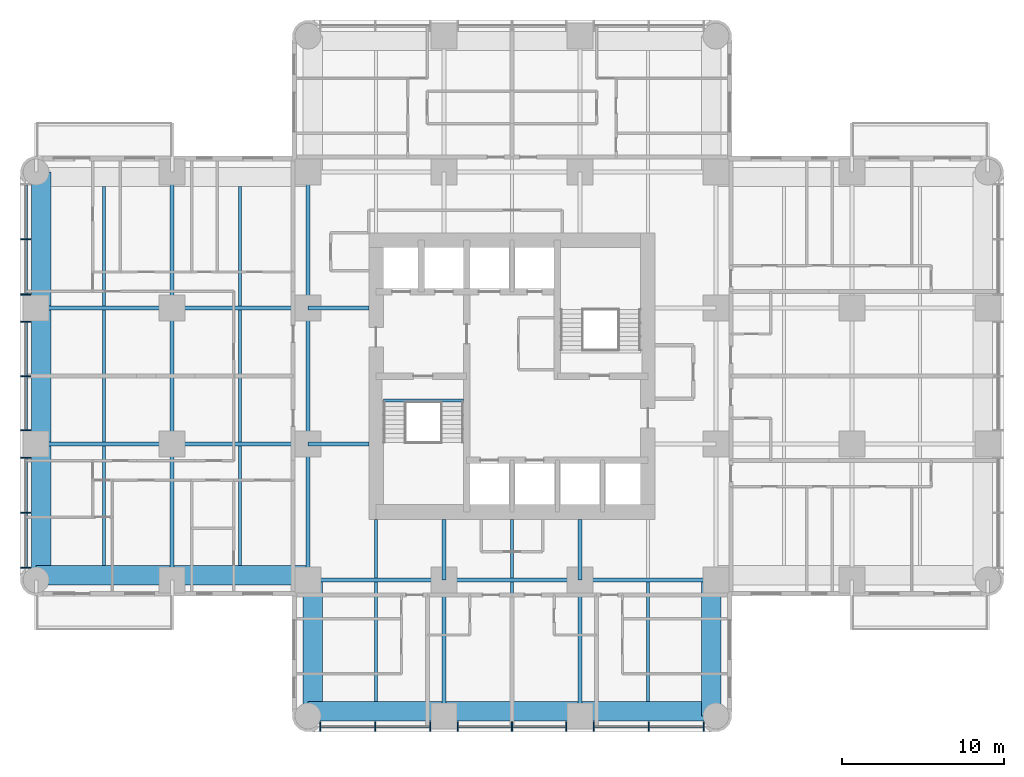
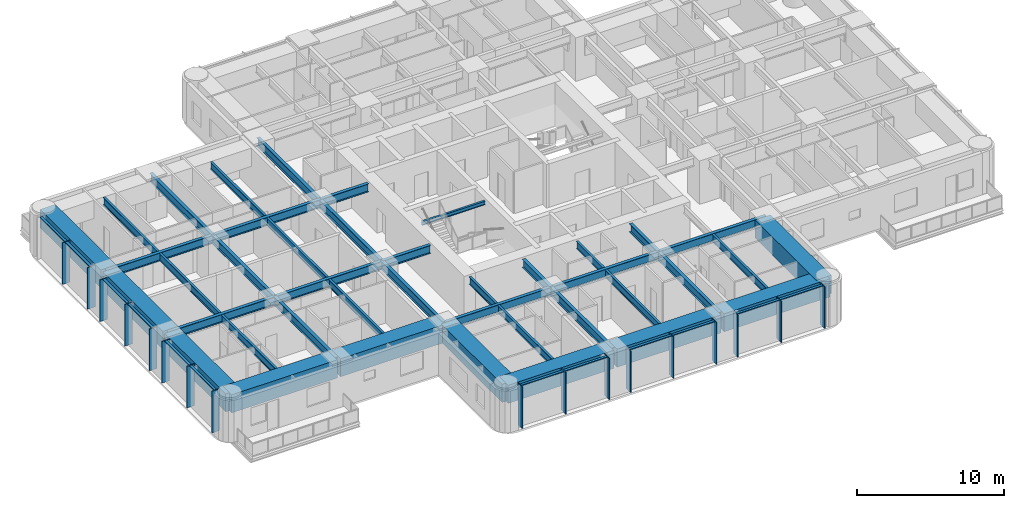
# One storey, part 2 of 14: 41 beams, 29 members, 2 elements without a shape of their own.
"""IFC4 building model written with IfcOpenShell, lengths in metres."""

from ifc_helpers import new_model, si_unit, direction, frame, origin, origin_2d, place, context, subcontext, project, spatial, rectangle, i_section, extrude, material, material_profile, profile_set, type_object, element, aggregate, save


model = new_model("IFC4")

# Units and contexts
model_context = context("Model", 3, precision=1e-05, world=origin(), true_north=direction((0.0, 1.0)))
body_context = subcontext(model_context, "Body", "Model", "MODEL_VIEW")
ifc_project = project(units=[si_unit("LENGTHUNIT", "METRE"), si_unit("AREAUNIT", "SQUARE_METRE"), si_unit("VOLUMEUNIT", "CUBIC_METRE"), si_unit("PLANEANGLEUNIT", "RADIAN"), si_unit("MASSUNIT", "GRAM", prefix="KILO")], contexts=[model_context])

# Site, building, storey
site_placement = place(None, origin())
site = spatial("IfcSite", under=ifc_project, at=site_placement, CompositionType="ELEMENT")
building_placement = place(site_placement, origin())
building = spatial("IfcBuilding", under=site, at=building_placement, Name="Torre Alcanfor", CompositionType="ELEMENT")
storey_placement = place(building_placement, frame((0.0, 0.0, 159.300048828125)))
storey = spatial("IfcBuildingStorey", under=building, at=storey_placement, Name="L41", CompositionType="ELEMENT", Elevation=159.300048828125)

# Curtain wall, members
ifc_material_1 = material(Name="Aluminium and glass", Category="aluminium")
curtain_wall_type = type_object("IfcCurtainWallType", Name="CW-A unitised apartment glazing with vertical FIN", PredefinedType="NOTDEFINED", material=ifc_material_1)
curtain_wall_1_placement = place(storey_placement, origin())
curtain_wall_1 = element("IfcCurtainWall", 1, at=curtain_wall_1_placement, inside=storey, type_object=curtain_wall_type, Name="Curtain wall CW-A L41 2", PredefinedType="NOTDEFINED")
ifc_material_2 = material(Name="Bronze anodised aluminium", Category="aluminium")
ifc_material_profile_1 = material_profile(ifc_material_2, rectangle(XDim=0.60009765625, YDim=0.06494140625, at=origin_2d()), Name="CW-A mullion 65x600")
ifc_profile_set_1 = profile_set([ifc_material_profile_1], Name="Bronze anodised aluminium")
member_type_1 = type_object("IfcMemberType", Name="CW-A mullion with vertical FIN 65x600", PredefinedType="MULLION", material=ifc_profile_set_1)
member_1_placement = place(storey_placement, frame((-0.64990234375, 37.840087890625, 0.0), z_axis=(0.0, 0.0, 1.0), x_axis=(1.0, 0.0, 0.0)))
member_1 = element("IfcMember", 2, at=member_1_placement, type_object=member_type_1, Name="CW-A mullion 1.2", PredefinedType="MULLION", context=body_context, shape_type="SweptSolid", body=[
    extrude(rectangle(XDim=0.60009765625, YDim=0.06494140625, at=origin_2d()), origin(), (0.0, 0.0, 1.0), 3.449951171875),
])
member_2_placement = place(storey_placement, frame((-0.64990234375, 34.4375, 0.0), z_axis=(0.0, 0.0, 1.0), x_axis=(1.0, 0.0, 0.0)))
member_2 = element("IfcMember", 3, at=member_2_placement, type_object=member_type_1, Name="CW-A mullion 1.3", PredefinedType="MULLION", context=body_context, shape_type="SweptSolid", body=[
    extrude(rectangle(XDim=0.60009765625, YDim=0.06494140625, at=origin_2d()), origin(), (0.0, 0.0, 1.0), 3.449951171875),
])
member_3_placement = place(storey_placement, frame((-0.64990234375, 32.762451171875, 0.0), z_axis=(0.0, 0.0, 1.0), x_axis=(1.0, 0.0, 0.0)))
member_3 = element("IfcMember", 4, at=member_3_placement, type_object=member_type_1, Name="CW-A mullion 2.1", PredefinedType="MULLION", context=body_context, shape_type="SweptSolid", body=[
    extrude(rectangle(XDim=0.60009765625, YDim=0.06494140625, at=origin_2d()), origin(), (0.0, 0.0, 1.0), 3.449951171875),
])
member_4_placement = place(storey_placement, frame((-0.64990234375, 29.39990234375, 0.0), z_axis=(0.0, 0.0, 1.0), x_axis=(1.0, 0.0, 0.0)))
member_4 = element("IfcMember", 5, at=member_4_placement, type_object=member_type_1, Name="CW-A mullion 2.2", PredefinedType="MULLION", context=body_context, shape_type="SweptSolid", body=[
    extrude(rectangle(XDim=0.60009765625, YDim=0.06494140625, at=origin_2d()), origin(), (0.0, 0.0, 1.0), 3.449951171875),
])
member_5_placement = place(storey_placement, frame((-0.64990234375, 26.03759765625, 0.0), z_axis=(0.0, 0.0, 1.0), x_axis=(1.0, 0.0, 0.0)))
member_5 = element("IfcMember", 6, at=member_5_placement, type_object=member_type_1, Name="CW-A mullion 2.3", PredefinedType="MULLION", context=body_context, shape_type="SweptSolid", body=[
    extrude(rectangle(XDim=0.60009765625, YDim=0.06494140625, at=origin_2d()), origin(), (0.0, 0.0, 1.0), 3.449951171875),
])
member_6_placement = place(storey_placement, frame((-0.64990234375, 24.362548828125, 0.0), z_axis=(0.0, 0.0, 1.0), x_axis=(1.0, 0.0, 0.0)))
member_6 = element("IfcMember", 7, at=member_6_placement, type_object=member_type_1, Name="CW-A mullion 3.1", PredefinedType="MULLION", context=body_context, shape_type="SweptSolid", body=[
    extrude(rectangle(XDim=0.60009765625, YDim=0.06494140625, at=origin_2d()), origin(), (0.0, 0.0, 1.0), 3.449951171875),
])
member_7_placement = place(storey_placement, frame((-0.64990234375, 20.9599609375, 0.0), z_axis=(0.0, 0.0, 1.0), x_axis=(1.0, 0.0, 0.0)))
member_7 = element("IfcMember", 8, at=member_7_placement, type_object=member_type_1, Name="CW-A mullion 3.2", PredefinedType="MULLION", context=body_context, shape_type="SweptSolid", body=[
    extrude(rectangle(XDim=0.60009765625, YDim=0.06494140625, at=origin_2d()), origin(), (0.0, 0.0, 1.0), 3.449951171875),
])
member_8_placement = place(storey_placement, frame((-0.64990234375, 17.557373046875, 0.0), z_axis=(0.0, 0.0, 1.0), x_axis=(1.0, 0.0, 0.0)))
member_8 = element("IfcMember", 9, at=member_8_placement, type_object=member_type_1, Name="CW-A mullion 3.3", PredefinedType="MULLION", context=body_context, shape_type="SweptSolid", body=[
    extrude(rectangle(XDim=0.60009765625, YDim=0.06494140625, at=origin_2d()), origin(), (0.0, 0.0, 1.0), 3.449951171875),
])

curtain_wall_2_placement = place(storey_placement, origin())
curtain_wall_2 = element("IfcCurtainWall", 10, at=curtain_wall_2_placement, inside=storey, type_object=curtain_wall_type, Name="Curtain wall CW-A L41 5", PredefinedType="NOTDEFINED")
member_9_placement = place(storey_placement, frame((17.557373046875, 7.75, 0.0), z_axis=(0.0, 0.0, 1.0), x_axis=(0.0, 1.0, 0.0)))
member_9 = element("IfcMember", 11, at=member_9_placement, type_object=member_type_1, Name="CW-A mullion 1.1", PredefinedType="MULLION", context=body_context, shape_type="SweptSolid", body=[
    extrude(rectangle(XDim=0.60009765625, YDim=0.06494140625, at=origin_2d()), origin(), (0.0, 0.0, 1.0), 3.449951171875),
])
member_10_placement = place(storey_placement, frame((20.9599609375, 7.75, 0.0), z_axis=(0.0, 0.0, 1.0), x_axis=(0.0, 1.0, 0.0)))
member_10 = element("IfcMember", 12, at=member_10_placement, type_object=member_type_1, Name="CW-A mullion 1.2", PredefinedType="MULLION", context=body_context, shape_type="SweptSolid", body=[
    extrude(rectangle(XDim=0.60009765625, YDim=0.06494140625, at=origin_2d()), origin(), (0.0, 0.0, 1.0), 3.449951171875),
])
member_11_placement = place(storey_placement, frame((24.362548828125, 7.75, 0.0), z_axis=(0.0, 0.0, 1.0), x_axis=(0.0, 1.0, 0.0)))
member_11 = element("IfcMember", 13, at=member_11_placement, type_object=member_type_1, Name="CW-A mullion 1.3", PredefinedType="MULLION", context=body_context, shape_type="SweptSolid", body=[
    extrude(rectangle(XDim=0.60009765625, YDim=0.06494140625, at=origin_2d()), origin(), (0.0, 0.0, 1.0), 3.449951171875),
])
member_12_placement = place(storey_placement, frame((26.03759765625, 7.75, 0.0), z_axis=(0.0, 0.0, 1.0), x_axis=(0.0, 1.0, 0.0)))
member_12 = element("IfcMember", 14, at=member_12_placement, type_object=member_type_1, Name="CW-A mullion 2.1", PredefinedType="MULLION", context=body_context, shape_type="SweptSolid", body=[
    extrude(rectangle(XDim=0.60009765625, YDim=0.06494140625, at=origin_2d()), origin(), (0.0, 0.0, 1.0), 3.449951171875),
])
member_13_placement = place(storey_placement, frame((29.39990234375, 7.75, 0.0), z_axis=(0.0, 0.0, 1.0), x_axis=(0.0, 1.0, 0.0)))
member_13 = element("IfcMember", 15, at=member_13_placement, type_object=member_type_1, Name="CW-A mullion 2.2", PredefinedType="MULLION", context=body_context, shape_type="SweptSolid", body=[
    extrude(rectangle(XDim=0.60009765625, YDim=0.06494140625, at=origin_2d()), origin(), (0.0, 0.0, 1.0), 3.449951171875),
])
member_14_placement = place(storey_placement, frame((32.762451171875, 7.75, 0.0), z_axis=(0.0, 0.0, 1.0), x_axis=(0.0, 1.0, 0.0)))
member_14 = element("IfcMember", 16, at=member_14_placement, type_object=member_type_1, Name="CW-A mullion 2.3", PredefinedType="MULLION", context=body_context, shape_type="SweptSolid", body=[
    extrude(rectangle(XDim=0.60009765625, YDim=0.06494140625, at=origin_2d()), origin(), (0.0, 0.0, 1.0), 3.449951171875),
])
member_15_placement = place(storey_placement, frame((34.4375, 7.75, 0.0), z_axis=(0.0, 0.0, 1.0), x_axis=(0.0, 1.0, 0.0)))
member_15 = element("IfcMember", 17, at=member_15_placement, type_object=member_type_1, Name="CW-A mullion 3.1", PredefinedType="MULLION", context=body_context, shape_type="SweptSolid", body=[
    extrude(rectangle(XDim=0.60009765625, YDim=0.06494140625, at=origin_2d()), origin(), (0.0, 0.0, 1.0), 3.449951171875),
])
member_16_placement = place(storey_placement, frame((37.840087890625, 7.75, 0.0), z_axis=(0.0, 0.0, 1.0), x_axis=(0.0, 1.0, 0.0)))
member_16 = element("IfcMember", 18, at=member_16_placement, type_object=member_type_1, Name="CW-A mullion 3.2", PredefinedType="MULLION", context=body_context, shape_type="SweptSolid", body=[
    extrude(rectangle(XDim=0.60009765625, YDim=0.06494140625, at=origin_2d()), origin(), (0.0, 0.0, 1.0), 3.449951171875),
])
member_17_placement = place(storey_placement, frame((41.24267578125, 7.75, 0.0), z_axis=(0.0, 0.0, 1.0), x_axis=(0.0, 1.0, 0.0)))
member_17 = element("IfcMember", 19, at=member_17_placement, type_object=member_type_1, Name="CW-A mullion 3.3", PredefinedType="MULLION", context=body_context, shape_type="SweptSolid", body=[
    extrude(rectangle(XDim=0.60009765625, YDim=0.06494140625, at=origin_2d()), origin(), (0.0, 0.0, 1.0), 3.449951171875),
])

# Member
ifc_material_3 = material(Name="Extruded aluminium", Category="aluminium")
ifc_material_profile_2 = material_profile(ifc_material_3, rectangle(XDim=0.199951171875, YDim=0.06494140625, at=origin_2d()), Name="CW-A transom 200x65")
ifc_profile_set_2 = profile_set([ifc_material_profile_2], Name="Extruded aluminium")
member_type_2 = type_object("IfcMemberType", Name="CW-A transom 65x200", PredefinedType="USERDEFINED", material=ifc_profile_set_2)
member_18_placement = place(storey_placement, frame((-0.64990234375, 41.210205078125, 3.41748046875), z_axis=(0.0, -1.0, 0.0), x_axis=(1.0, 0.0, 0.0)))
member_18 = element("IfcMember", 20, at=member_18_placement, type_object=member_type_2, Name="CW-A transom 1.1.2", ObjectType="TRANSOM", PredefinedType="USERDEFINED", context=body_context, shape_type="SweptSolid", body=[
    extrude(rectangle(XDim=0.199951171875, YDim=0.06494140625, at=origin_2d()), origin(), (0.0, 0.0, 1.0), 3.337646484375),
])

member_19_placement = place(storey_placement, frame((-0.64990234375, 37.8076171875, 3.41748046875), z_axis=(0.0, -1.0, 0.0), x_axis=(1.0, 0.0, 0.0)))
member_19 = element("IfcMember", 21, at=member_19_placement, type_object=member_type_2, Name="CW-A transom 1.2.2", ObjectType="TRANSOM", PredefinedType="USERDEFINED", context=body_context, shape_type="SweptSolid", body=[
    extrude(rectangle(XDim=0.199951171875, YDim=0.06494140625, at=origin_2d()), origin(), (0.0, 0.0, 1.0), 3.337646484375),
])

member_20_placement = place(storey_placement, frame((-0.64990234375, 32.72998046875, 3.41748046875), z_axis=(0.0, -1.0, 0.0), x_axis=(1.0, 0.0, 0.0)))
member_20 = element("IfcMember", 22, at=member_20_placement, type_object=member_type_2, Name="CW-A transom 2.1.2", ObjectType="TRANSOM", PredefinedType="USERDEFINED", context=body_context, shape_type="SweptSolid", body=[
    extrude(rectangle(XDim=0.199951171875, YDim=0.06494140625, at=origin_2d()), origin(), (0.0, 0.0, 1.0), 3.29736328125),
])

member_21_placement = place(storey_placement, frame((-0.64990234375, 29.367431640625, 3.41748046875), z_axis=(0.0, -1.0, 0.0), x_axis=(1.0, 0.0, 0.0)))
member_21 = element("IfcMember", 23, at=member_21_placement, type_object=member_type_2, Name="CW-A transom 2.2.2", ObjectType="TRANSOM", PredefinedType="USERDEFINED", context=body_context, shape_type="SweptSolid", body=[
    extrude(rectangle(XDim=0.199951171875, YDim=0.06494140625, at=origin_2d()), origin(), (0.0, 0.0, 1.0), 3.29736328125),
])

member_22_placement = place(storey_placement, frame((-0.64990234375, 24.330078125, 3.41748046875), z_axis=(0.0, -1.0, 0.0), x_axis=(1.0, 0.0, 0.0)))
member_22 = element("IfcMember", 24, at=member_22_placement, type_object=member_type_2, Name="CW-A transom 3.1.2", ObjectType="TRANSOM", PredefinedType="USERDEFINED", context=body_context, shape_type="SweptSolid", body=[
    extrude(rectangle(XDim=0.199951171875, YDim=0.06494140625, at=origin_2d()), origin(), (0.0, 0.0, 1.0), 3.337646484375),
])

member_23_placement = place(storey_placement, frame((-0.64990234375, 20.927490234375, 3.41748046875), z_axis=(0.0, -1.0, 0.0), x_axis=(1.0, 0.0, 0.0)))
member_23 = element("IfcMember", 25, at=member_23_placement, type_object=member_type_2, Name="CW-A transom 3.2.2", ObjectType="TRANSOM", PredefinedType="USERDEFINED", context=body_context, shape_type="SweptSolid", body=[
    extrude(rectangle(XDim=0.199951171875, YDim=0.06494140625, at=origin_2d()), origin(), (0.0, 0.0, 1.0), 3.337646484375),
])

aggregate(curtain_wall_1, [member_1, member_2, member_18, member_19, member_3, member_4, member_5, member_20, member_21, member_6, member_7, member_8, member_22, member_23])

member_24_placement = place(storey_placement, frame((17.58984375, 7.75, 3.41748046875), z_axis=(1.0, 0.0, 0.0), x_axis=(0.0, 1.0, 0.0)))
member_24 = element("IfcMember", 26, at=member_24_placement, type_object=member_type_2, Name="CW-A transom 1.1.2", ObjectType="TRANSOM", PredefinedType="USERDEFINED", context=body_context, shape_type="SweptSolid", body=[
    extrude(rectangle(XDim=0.199951171875, YDim=0.06494140625, at=origin_2d()), origin(), (0.0, 0.0, 1.0), 3.337646484375),
])

member_25_placement = place(storey_placement, frame((20.992431640625, 7.75, 3.41748046875), z_axis=(1.0, 0.0, 0.0), x_axis=(0.0, 1.0, 0.0)))
member_25 = element("IfcMember", 27, at=member_25_placement, type_object=member_type_2, Name="CW-A transom 1.2.2", ObjectType="TRANSOM", PredefinedType="USERDEFINED", context=body_context, shape_type="SweptSolid", body=[
    extrude(rectangle(XDim=0.199951171875, YDim=0.06494140625, at=origin_2d()), origin(), (0.0, 0.0, 1.0), 3.337646484375),
])

member_26_placement = place(storey_placement, frame((26.070068359375, 7.75, 3.41748046875), z_axis=(1.0, 0.0, 0.0), x_axis=(0.0, 1.0, 0.0)))
member_26 = element("IfcMember", 28, at=member_26_placement, type_object=member_type_2, Name="CW-A transom 2.1.2", ObjectType="TRANSOM", PredefinedType="USERDEFINED", context=body_context, shape_type="SweptSolid", body=[
    extrude(rectangle(XDim=0.199951171875, YDim=0.06494140625, at=origin_2d()), origin(), (0.0, 0.0, 1.0), 3.29736328125),
])

member_27_placement = place(storey_placement, frame((29.4326171875, 7.75, 3.41748046875), z_axis=(1.0, 0.0, 0.0), x_axis=(0.0, 1.0, 0.0)))
member_27 = element("IfcMember", 29, at=member_27_placement, type_object=member_type_2, Name="CW-A transom 2.2.2", ObjectType="TRANSOM", PredefinedType="USERDEFINED", context=body_context, shape_type="SweptSolid", body=[
    extrude(rectangle(XDim=0.199951171875, YDim=0.06494140625, at=origin_2d()), origin(), (0.0, 0.0, 1.0), 3.29736328125),
])

member_28_placement = place(storey_placement, frame((34.469970703125, 7.75, 3.41748046875), z_axis=(1.0, 0.0, 0.0), x_axis=(0.0, 1.0, 0.0)))
member_28 = element("IfcMember", 30, at=member_28_placement, type_object=member_type_2, Name="CW-A transom 3.1.2", ObjectType="TRANSOM", PredefinedType="USERDEFINED", context=body_context, shape_type="SweptSolid", body=[
    extrude(rectangle(XDim=0.199951171875, YDim=0.06494140625, at=origin_2d()), origin(), (0.0, 0.0, 1.0), 3.337646484375),
])

member_29_placement = place(storey_placement, frame((37.87255859375, 7.75, 3.41748046875), z_axis=(1.0, 0.0, 0.0), x_axis=(0.0, 1.0, 0.0)))
member_29 = element("IfcMember", 31, at=member_29_placement, type_object=member_type_2, Name="CW-A transom 3.2.2", ObjectType="TRANSOM", PredefinedType="USERDEFINED", context=body_context, shape_type="SweptSolid", body=[
    extrude(rectangle(XDim=0.199951171875, YDim=0.06494140625, at=origin_2d()), origin(), (0.0, 0.0, 1.0), 3.337646484375),
])

aggregate(curtain_wall_2, [member_9, member_10, member_11, member_24, member_25, member_12, member_13, member_14, member_26, member_27, member_15, member_16, member_17, member_28, member_29])

# Beams
ifc_material_4 = material(Name="Steel ASTM A992 Grade 50", Category="steel")
ifc_material_profile_3 = material_profile(ifc_material_4, i_section(OverallWidth=0.25390625, OverallDepth=0.683349609375, WebThickness=0.012451171875, FlangeThickness=0.01904296875, at=origin_2d()), Name="W27x94")
ifc_profile_set_3 = profile_set([ifc_material_profile_3], Name="Steel ASTM A992 Grade 50")
beam_type_1 = type_object("IfcBeamType", Name="Girder W27x94", PredefinedType="BEAM", material=ifc_profile_set_3)
beam_1_placement = place(storey_placement, frame((16.800048828125, 16.800048828125, 3.1083984375), z_axis=(1.0, 0.0, 0.0), x_axis=(0.0, 1.0, 0.0)))
element("IfcBeam", 32, at=beam_1_placement, inside=storey, type_object=beam_type_1, Name="Beam 3E-4E under L42", PredefinedType="BEAM", context=body_context, shape_type="SweptSolid", body=[
    extrude(i_section(OverallWidth=0.25390625, OverallDepth=0.683349609375, WebThickness=0.012451171875, FlangeThickness=0.01904296875, at=origin_2d()), origin(), (0.0, 0.0, 1.0), 8.39990234375),
])
beam_2_placement = place(storey_placement, frame((25.199951171875, 16.800048828125, 3.1083984375), z_axis=(1.0, 0.0, 0.0), x_axis=(0.0, 1.0, 0.0)))
element("IfcBeam", 33, at=beam_2_placement, inside=storey, type_object=beam_type_1, Name="Beam 4E-5E under L42", PredefinedType="BEAM", context=body_context, shape_type="SweptSolid", body=[
    extrude(i_section(OverallWidth=0.25390625, OverallDepth=0.683349609375, WebThickness=0.012451171875, FlangeThickness=0.01904296875, at=origin_2d()), origin(), (0.0, 0.0, 1.0), 8.400146484375),
])
for number, where, z_axis, x_axis, name in (
    (34, (33.60009765625, 16.800048828125, 3.1083984375), (1.0, 0.0, 0.0), (0.0, 1.0, 0.0), "Beam 5E-6E under L42"),
    (35, (0.0, 25.199951171875, 3.1083984375), (1.0, 0.0, 0.0), (0.0, 1.0, 0.0), "Beam 1F-2F under L42"),
):
    element("IfcBeam", number, at=place(storey_placement, frame(where, z_axis=z_axis, x_axis=x_axis)), inside=storey, type_object=beam_type_1, Name=name, PredefinedType="BEAM", context=body_context, shape_type="SweptSolid", body=[
        extrude(i_section(OverallWidth=0.25390625, OverallDepth=0.683349609375, WebThickness=0.012451171875, FlangeThickness=0.01904296875, at=origin_2d()), origin(), (0.0, 0.0, 1.0), 8.39990234375),
    ])
beam_3_placement = place(storey_placement, frame((8.39990234375, 25.199951171875, 3.1083984375), z_axis=(1.0, 0.0, 0.0), x_axis=(0.0, 1.0, 0.0)))
element("IfcBeam", 36, at=beam_3_placement, inside=storey, type_object=beam_type_1, Name="Beam 2F-3F under L42", PredefinedType="BEAM", context=body_context, shape_type="SweptSolid", body=[
    extrude(i_section(OverallWidth=0.25390625, OverallDepth=0.683349609375, WebThickness=0.012451171875, FlangeThickness=0.01904296875, at=origin_2d()), origin(), (0.0, 0.0, 1.0), 8.400146484375),
])
beam_4_placement = place(storey_placement, frame((0.0, 33.60009765625, 3.1083984375), z_axis=(1.0, 0.0, 0.0), x_axis=(0.0, 1.0, 0.0)))
element("IfcBeam", 37, at=beam_4_placement, inside=storey, type_object=beam_type_1, Name="Beam 1G-2G under L42", PredefinedType="BEAM", context=body_context, shape_type="SweptSolid", body=[
    extrude(i_section(OverallWidth=0.25390625, OverallDepth=0.683349609375, WebThickness=0.012451171875, FlangeThickness=0.01904296875, at=origin_2d()), origin(), (0.0, 0.0, 1.0), 8.39990234375),
])
beam_5_placement = place(storey_placement, frame((8.39990234375, 33.60009765625, 3.1083984375), z_axis=(1.0, 0.0, 0.0), x_axis=(0.0, 1.0, 0.0)))
element("IfcBeam", 38, at=beam_5_placement, inside=storey, type_object=beam_type_1, Name="Beam 2G-3G under L42", PredefinedType="BEAM", context=body_context, shape_type="SweptSolid", body=[
    extrude(i_section(OverallWidth=0.25390625, OverallDepth=0.683349609375, WebThickness=0.012451171875, FlangeThickness=0.01904296875, at=origin_2d()), origin(), (0.0, 0.0, 1.0), 8.400146484375),
])
beam_6_placement = place(storey_placement, frame((8.39990234375, 16.800048828125, 3.1083984375), z_axis=(0.0, 1.0, 0.0), x_axis=(-1.0, 0.0, 0.0)))
element("IfcBeam", 39, at=beam_6_placement, inside=storey, type_object=beam_type_1, Name="Beam 2E-2F under L42", PredefinedType="BEAM", context=body_context, shape_type="SweptSolid", body=[
    extrude(i_section(OverallWidth=0.25390625, OverallDepth=0.683349609375, WebThickness=0.012451171875, FlangeThickness=0.01904296875, at=origin_2d()), origin(), (0.0, 0.0, 1.0), 8.39990234375),
])
beam_7_placement = place(storey_placement, frame((8.39990234375, 25.199951171875, 3.1083984375), z_axis=(0.0, 1.0, 0.0), x_axis=(-1.0, 0.0, 0.0)))
element("IfcBeam", 40, at=beam_7_placement, inside=storey, type_object=beam_type_1, Name="Beam 2F-2G under L42", PredefinedType="BEAM", context=body_context, shape_type="SweptSolid", body=[
    extrude(i_section(OverallWidth=0.25390625, OverallDepth=0.683349609375, WebThickness=0.012451171875, FlangeThickness=0.01904296875, at=origin_2d()), origin(), (0.0, 0.0, 1.0), 8.400146484375),
])
for number, where, z_axis, x_axis, name in (
    (41, (8.39990234375, 33.60009765625, 3.1083984375), (0.0, 1.0, 0.0), (-1.0, 0.0, 0.0), "Beam 2G-2H under L42"),
    (42, (16.800048828125, 16.800048828125, 3.1083984375), (0.0, 1.0, 0.0), (-1.0, 0.0, 0.0), "Beam 3E-3F under L42"),
):
    element("IfcBeam", number, at=place(storey_placement, frame(where, z_axis=z_axis, x_axis=x_axis)), inside=storey, type_object=beam_type_1, Name=name, PredefinedType="BEAM", context=body_context, shape_type="SweptSolid", body=[
        extrude(i_section(OverallWidth=0.25390625, OverallDepth=0.683349609375, WebThickness=0.012451171875, FlangeThickness=0.01904296875, at=origin_2d()), origin(), (0.0, 0.0, 1.0), 8.39990234375),
    ])
beam_8_placement = place(storey_placement, frame((16.800048828125, 25.199951171875, 3.1083984375), z_axis=(0.0, 1.0, 0.0), x_axis=(-1.0, 0.0, 0.0)))
element("IfcBeam", 43, at=beam_8_placement, inside=storey, type_object=beam_type_1, Name="Beam 3F-3G under L42", PredefinedType="BEAM", context=body_context, shape_type="SweptSolid", body=[
    extrude(i_section(OverallWidth=0.25390625, OverallDepth=0.683349609375, WebThickness=0.012451171875, FlangeThickness=0.01904296875, at=origin_2d()), origin(), (0.0, 0.0, 1.0), 8.400146484375),
])
beam_9_placement = place(storey_placement, frame((16.800048828125, 33.60009765625, 3.1083984375), z_axis=(0.0, 1.0, 0.0), x_axis=(-1.0, 0.0, 0.0)))
element("IfcBeam", 44, at=beam_9_placement, inside=storey, type_object=beam_type_1, Name="Beam 3G-3H under L42", PredefinedType="BEAM", context=body_context, shape_type="SweptSolid", body=[
    extrude(i_section(OverallWidth=0.25390625, OverallDepth=0.683349609375, WebThickness=0.012451171875, FlangeThickness=0.01904296875, at=origin_2d()), origin(), (0.0, 0.0, 1.0), 8.39990234375),
])
for number, where, z_axis, x_axis, name in (
    (45, (25.199951171875, 8.39990234375, 3.1083984375), (0.0, 1.0, 0.0), (-1.0, 0.0, 0.0), "Beam 4D-4E under L42"),
    (46, (33.60009765625, 8.39990234375, 3.1083984375), (0.0, 1.0, 0.0), (-1.0, 0.0, 0.0), "Beam 5D-5E under L42"),
):
    element("IfcBeam", number, at=place(storey_placement, frame(where, z_axis=z_axis, x_axis=x_axis)), inside=storey, type_object=beam_type_1, Name=name, PredefinedType="BEAM", context=body_context, shape_type="SweptSolid", body=[
        extrude(i_section(OverallWidth=0.25390625, OverallDepth=0.683349609375, WebThickness=0.012451171875, FlangeThickness=0.01904296875, at=origin_2d()), origin(), (0.0, 0.0, 1.0), 8.400146484375),
    ])
ifc_material_5 = material(Name="Steel ASTM A992 Grade 50", Category="steel")
ifc_material_profile_4 = material_profile(ifc_material_5, i_section(OverallWidth=0.25390625, OverallDepth=0.683349609375, WebThickness=0.012451171875, FlangeThickness=0.01904296875, at=origin_2d()), Name="W27x94")
ifc_profile_set_4 = profile_set([ifc_material_profile_4], Name="Steel ASTM A992 Grade 50")
beam_type_2 = type_object("IfcBeamType", Name="Girder, part bay W27x94", PredefinedType="BEAM", material=ifc_profile_set_4)
for number, where, z_axis, x_axis, name in (
    (47, (25.199951171875, 16.800048828125, 3.1083984375), (0.0, 1.0, 0.0), (-1.0, 0.0, 0.0), "Beam 4E-420_55 under L42"),
    (48, (33.60009765625, 16.800048828125, 3.1083984375), (0.0, 1.0, 0.0), (-1.0, 0.0, 0.0), "Beam 5E-520_55 under L42"),
    (49, (16.800048828125, 25.199951171875, 3.1083984375), (1.0, 0.0, 0.0), (0.0, 1.0, 0.0), "Beam 3F-20_55F under L42"),
    (50, (16.800048828125, 33.60009765625, 3.1083984375), (1.0, 0.0, 0.0), (0.0, 1.0, 0.0), "Beam 3G-20_55G under L42"),
):
    element("IfcBeam", number, at=place(storey_placement, frame(where, z_axis=z_axis, x_axis=x_axis)), inside=storey, type_object=beam_type_2, Name=name, PredefinedType="BEAM", context=body_context, shape_type="SweptSolid", body=[
        extrude(i_section(OverallWidth=0.25390625, OverallDepth=0.683349609375, WebThickness=0.012451171875, FlangeThickness=0.01904296875, at=origin_2d()), origin(), (0.0, 0.0, 1.0), 3.75),
    ])
ifc_material_6 = material(Name="Concrete f'c 70 MPa", Category="concrete")
ifc_material_profile_5 = material_profile(ifc_material_6, rectangle(XDim=1.199951171875, YDim=1.5, at=origin_2d()), Name="1200x1500")
ifc_profile_set_5 = profile_set([ifc_material_profile_5], Name="Concrete f'c 70 MPa")
beam_type_3 = type_object("IfcBeamType", Name="RC perimeter beam 1200x1500", PredefinedType="BEAM", material=ifc_profile_set_5)
beam_10_placement = place(storey_placement, frame((16.800048828125, 8.699951171875, 2.699951171875), z_axis=(1.0, 0.0, 0.0), x_axis=(0.0, 1.0, 0.0)))
element("IfcBeam", 51, at=beam_10_placement, inside=storey, type_object=beam_type_3, Name="Beam 3D-4D under L42", PredefinedType="BEAM", context=body_context, shape_type="SweptSolid", body=[
    extrude(rectangle(XDim=1.199951171875, YDim=1.5, at=origin_2d()), origin(), (0.0, 0.0, 1.0), 8.27294921875),
])
beam_11_placement = place(storey_placement, frame((25.326904296875, 8.699951171875, 2.699951171875), z_axis=(1.0, 0.0, 0.0), x_axis=(0.0, 1.0, 0.0)))
element("IfcBeam", 52, at=beam_11_placement, inside=storey, type_object=beam_type_3, Name="Beam 4D-5D under L42", PredefinedType="BEAM", context=body_context, shape_type="SweptSolid", body=[
    extrude(rectangle(XDim=1.199951171875, YDim=1.5, at=origin_2d()), origin(), (0.0, 0.0, 1.0), 8.14599609375),
])
for number, where, z_axis, x_axis, name in (
    (53, (33.72705078125, 8.699951171875, 2.699951171875), (1.0, 0.0, 0.0), (0.0, 1.0, 0.0), "Beam 5D-6D under L42"),
    (54, (0.0, 17.10009765625, 2.699951171875), (1.0, 0.0, 0.0), (0.0, 1.0, 0.0), "Beam 1E-2E under L42"),
):
    element("IfcBeam", number, at=place(storey_placement, frame(where, z_axis=z_axis, x_axis=x_axis)), inside=storey, type_object=beam_type_3, Name=name, PredefinedType="BEAM", context=body_context, shape_type="SweptSolid", body=[
        extrude(rectangle(XDim=1.199951171875, YDim=1.5, at=origin_2d()), origin(), (0.0, 0.0, 1.0), 8.27294921875),
    ])
beam_12_placement = place(storey_placement, frame((8.527099609375, 17.10009765625, 2.699951171875), z_axis=(1.0, 0.0, 0.0), x_axis=(0.0, 1.0, 0.0)))
element("IfcBeam", 55, at=beam_12_placement, inside=storey, type_object=beam_type_3, Name="Beam 2E-3E under L42", PredefinedType="BEAM", context=body_context, shape_type="SweptSolid", body=[
    extrude(rectangle(XDim=1.199951171875, YDim=1.5, at=origin_2d()), origin(), (0.0, 0.0, 1.0), 8.39990234375),
])
beam_13_placement = place(storey_placement, frame((0.300048828125, 16.800048828125, 2.699951171875), z_axis=(0.0, 1.0, 0.0), x_axis=(-1.0, 0.0, 0.0)))
element("IfcBeam", 56, at=beam_13_placement, inside=storey, type_object=beam_type_3, Name="Beam 1E-1F under L42", PredefinedType="BEAM", context=body_context, shape_type="SweptSolid", body=[
    extrude(rectangle(XDim=1.199951171875, YDim=1.5, at=origin_2d()), origin(), (0.0, 0.0, 1.0), 8.27294921875),
])
beam_14_placement = place(storey_placement, frame((0.300048828125, 25.326904296875, 2.699951171875), z_axis=(0.0, 1.0, 0.0), x_axis=(-1.0, 0.0, 0.0)))
element("IfcBeam", 57, at=beam_14_placement, inside=storey, type_object=beam_type_3, Name="Beam 1F-1G under L42", PredefinedType="BEAM", context=body_context, shape_type="SweptSolid", body=[
    extrude(rectangle(XDim=1.199951171875, YDim=1.5, at=origin_2d()), origin(), (0.0, 0.0, 1.0), 8.14599609375),
])
beam_15_placement = place(storey_placement, frame((0.300048828125, 33.72705078125, 2.699951171875), z_axis=(0.0, 1.0, 0.0), x_axis=(-1.0, 0.0, 0.0)))
element("IfcBeam", 58, at=beam_15_placement, inside=storey, type_object=beam_type_3, Name="Beam 1G-1H under L42", PredefinedType="BEAM", context=body_context, shape_type="SweptSolid", body=[
    extrude(rectangle(XDim=1.199951171875, YDim=1.5, at=origin_2d()), origin(), (0.0, 0.0, 1.0), 8.27294921875),
])
for number, where, z_axis, x_axis, name in (
    (59, (17.10009765625, 8.39990234375, 2.699951171875), (0.0, 1.0, 0.0), (-1.0, 0.0, 0.0), "Beam 3D-3E under L42"),
    (60, (41.699951171875, 8.39990234375, 2.699951171875), (0.0, 1.0, 0.0), (-1.0, 0.0, 0.0), "Beam 6D-6E under L42"),
):
    element("IfcBeam", number, at=place(storey_placement, frame(where, z_axis=z_axis, x_axis=x_axis)), inside=storey, type_object=beam_type_3, Name=name, PredefinedType="BEAM", context=body_context, shape_type="SweptSolid", body=[
        extrude(rectangle(XDim=1.199951171875, YDim=1.5, at=origin_2d()), origin(), (0.0, 0.0, 1.0), 8.273193359375),
    ])
ifc_material_7 = material(Name="Steel ASTM A992 Grade 50", Category="steel")
ifc_material_profile_6 = material_profile(ifc_material_7, i_section(OverallWidth=0.1787109375, OverallDepth=0.60205078125, WebThickness=0.010986328125, FlangeThickness=0.014892578125, at=origin_2d()), Name="W24x62")
ifc_profile_set_6 = profile_set([ifc_material_profile_6], Name="Steel ASTM A992 Grade 50")
beam_type_4 = type_object("IfcBeamType", Name="Secondary beam W24x62", PredefinedType="BEAM", material=ifc_profile_set_6)
beam_16_placement = place(storey_placement, frame((4.199951171875, 17.699951171875, 3.14892578125), z_axis=(0.0, 1.0, 0.0), x_axis=(-1.0, 0.0, 0.0)))
element("IfcBeam", 61, at=beam_16_placement, inside=storey, type_object=beam_type_4, Name="Beam 4_2E-4_2F under L42", PredefinedType="BEAM", context=body_context, shape_type="SweptSolid", body=[
    extrude(i_section(OverallWidth=0.1787109375, OverallDepth=0.60205078125, WebThickness=0.010986328125, FlangeThickness=0.014892578125, at=origin_2d()), origin(), (0.0, 0.0, 1.0), 7.373046875),
])
beam_17_placement = place(storey_placement, frame((4.199951171875, 25.326904296875, 3.14892578125), z_axis=(0.0, 1.0, 0.0), x_axis=(-1.0, 0.0, 0.0)))
element("IfcBeam", 62, at=beam_17_placement, inside=storey, type_object=beam_type_4, Name="Beam 4_2F-4_2G under L42", PredefinedType="BEAM", context=body_context, shape_type="SweptSolid", body=[
    extrude(i_section(OverallWidth=0.1787109375, OverallDepth=0.60205078125, WebThickness=0.010986328125, FlangeThickness=0.014892578125, at=origin_2d()), origin(), (0.0, 0.0, 1.0), 8.14599609375),
])
for number, where, z_axis, x_axis, name in (
    (63, (4.199951171875, 33.72705078125, 3.14892578125), (0.0, 1.0, 0.0), (-1.0, 0.0, 0.0), "Beam 4_2G-4_2H under L42"),
    (64, (12.60009765625, 17.699951171875, 3.14892578125), (0.0, 1.0, 0.0), (-1.0, 0.0, 0.0), "Beam 12_6E-12_6F under L42"),
):
    element("IfcBeam", number, at=place(storey_placement, frame(where, z_axis=z_axis, x_axis=x_axis)), inside=storey, type_object=beam_type_4, Name=name, PredefinedType="BEAM", context=body_context, shape_type="SweptSolid", body=[
        extrude(i_section(OverallWidth=0.1787109375, OverallDepth=0.60205078125, WebThickness=0.010986328125, FlangeThickness=0.014892578125, at=origin_2d()), origin(), (0.0, 0.0, 1.0), 7.373046875),
    ])
beam_18_placement = place(storey_placement, frame((12.60009765625, 25.326904296875, 3.14892578125), z_axis=(0.0, 1.0, 0.0), x_axis=(-1.0, 0.0, 0.0)))
element("IfcBeam", 65, at=beam_18_placement, inside=storey, type_object=beam_type_4, Name="Beam 12_6F-12_6G under L42", PredefinedType="BEAM", context=body_context, shape_type="SweptSolid", body=[
    extrude(i_section(OverallWidth=0.1787109375, OverallDepth=0.60205078125, WebThickness=0.010986328125, FlangeThickness=0.014892578125, at=origin_2d()), origin(), (0.0, 0.0, 1.0), 8.14599609375),
])
for number, where, z_axis, x_axis, name in (
    (66, (12.60009765625, 33.72705078125, 3.14892578125), (0.0, 1.0, 0.0), (-1.0, 0.0, 0.0), "Beam 12_6G-12_6H under L42"),
    (67, (21.0, 9.300048828125, 3.14892578125), (0.0, 1.0, 0.0), (-1.0, 0.0, 0.0), "Beam 21D-21E under L42"),
    (68, (29.39990234375, 9.300048828125, 3.14892578125), (0.0, 1.0, 0.0), (-1.0, 0.0, 0.0), "Beam 29_4D-29_4E under L42"),
    (69, (37.800048828125, 9.300048828125, 3.14892578125), (0.0, 1.0, 0.0), (-1.0, 0.0, 0.0), "Beam 37_8D-37_8E under L42"),
):
    element("IfcBeam", number, at=place(storey_placement, frame(where, z_axis=z_axis, x_axis=x_axis)), inside=storey, type_object=beam_type_4, Name=name, PredefinedType="BEAM", context=body_context, shape_type="SweptSolid", body=[
        extrude(i_section(OverallWidth=0.1787109375, OverallDepth=0.60205078125, WebThickness=0.010986328125, FlangeThickness=0.014892578125, at=origin_2d()), origin(), (0.0, 0.0, 1.0), 7.373046875),
    ])
ifc_material_8 = material(Name="Steel ASTM A992 Grade 50", Category="steel")
ifc_material_profile_7 = material_profile(ifc_material_8, i_section(OverallWidth=0.1787109375, OverallDepth=0.60205078125, WebThickness=0.010986328125, FlangeThickness=0.014892578125, at=origin_2d()), Name="W24x62")
ifc_profile_set_7 = profile_set([ifc_material_profile_7], Name="Steel ASTM A992 Grade 50")
beam_type_5 = type_object("IfcBeamType", Name="Secondary beam, part bay W24x62", PredefinedType="BEAM", material=ifc_profile_set_7)
for number, where, z_axis, x_axis, name in (
    (70, (21.0, 16.927001953125, 3.14892578125), (0.0, 1.0, 0.0), (-1.0, 0.0, 0.0), "Beam 21E-2120_55 under L42"),
    (71, (29.39990234375, 16.927001953125, 3.14892578125), (0.0, 1.0, 0.0), (-1.0, 0.0, 0.0), "Beam 29_4E-29_420_55 under L42"),
):
    element("IfcBeam", number, at=place(storey_placement, frame(where, z_axis=z_axis, x_axis=x_axis)), inside=storey, type_object=beam_type_5, Name=name, PredefinedType="BEAM", context=body_context, shape_type="SweptSolid", body=[
        extrude(i_section(OverallWidth=0.1787109375, OverallDepth=0.60205078125, WebThickness=0.010986328125, FlangeThickness=0.014892578125, at=origin_2d()), origin(), (0.0, 0.0, 1.0), 3.623046875),
    ])
ifc_material_9 = material(Name="Steel ASTM A992 Grade 50", Category="steel")
ifc_material_profile_8 = material_profile(ifc_material_9, i_section(OverallWidth=0.164794921875, OverallDepth=0.309814453125, WebThickness=0.005859375, FlangeThickness=0.009765625, at=origin_2d()), Name="W12x26")
ifc_profile_set_8 = profile_set([ifc_material_profile_8], Name="Steel ASTM A992 Grade 50")
beam_type_6 = type_object("IfcBeamType", Name="Stair landing beam W12x26", PredefinedType="BEAM", material=ifc_profile_set_8)
beam_19_placement = place(storey_placement, frame((21.449951171875, 27.887451171875, 3.2451171875), z_axis=(1.0, 0.0, 0.0), x_axis=(0.0, 1.0, 0.0)))
element("IfcBeam", 72, at=beam_19_placement, inside=storey, type_object=beam_type_6, Name="Landing trimmer S1 L42", PredefinedType="BEAM", context=body_context, shape_type="SweptSolid", body=[
    extrude(i_section(OverallWidth=0.164794921875, OverallDepth=0.309814453125, WebThickness=0.005859375, FlangeThickness=0.009765625, at=origin_2d()), origin(), (0.0, 0.0, 1.0), 4.949951171875),
])

save(model, "model.ifc")
